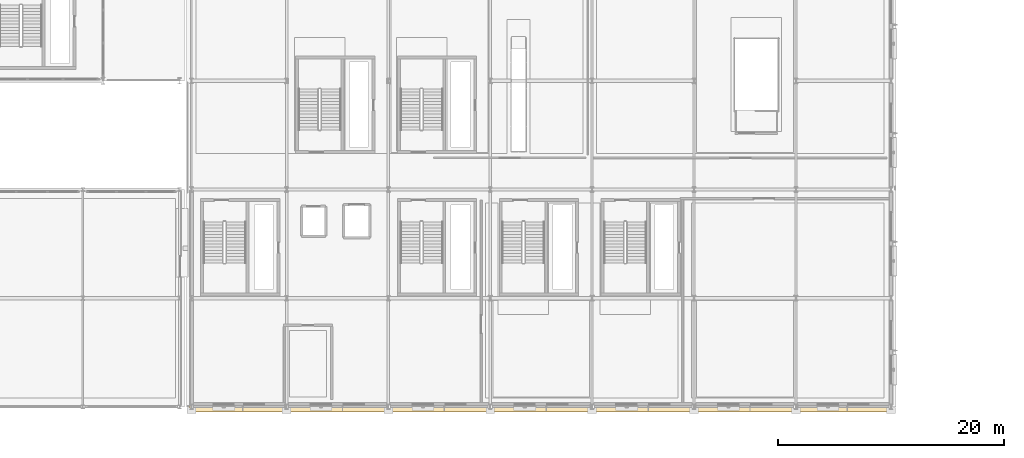
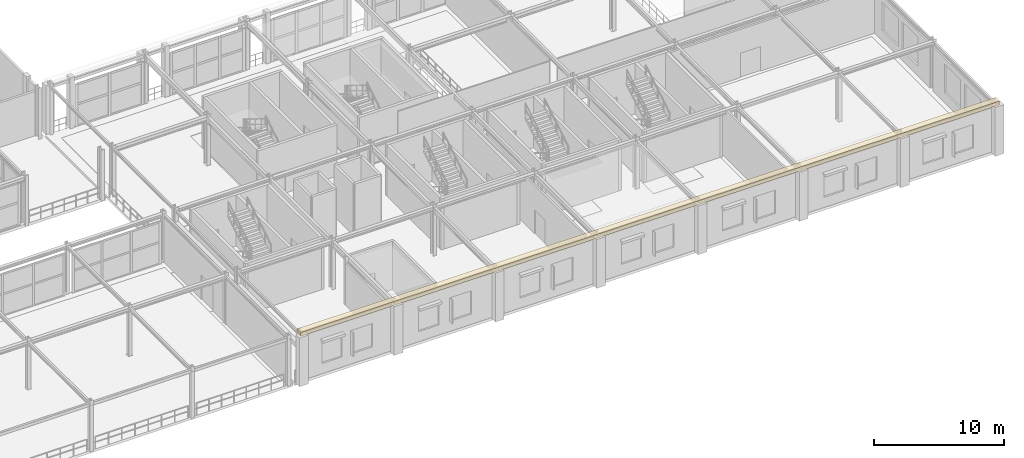
# One storey, part 111 of 125: 1 covering.
"""IFC4 building model written with IfcOpenShell, lengths in metres."""

from ifc_helpers import new_model, si_unit, direction, frame, origin, origin_2d, place, context, subcontext, project, spatial, rectangle, extrude, material, layer, layer_set, type_object, element, save


model = new_model("IFC4")

# Units and contexts
model_context = context("Model", 3, precision=1e-05, world=origin(), true_north=direction((0.0, 1.0)))
body_context = subcontext(model_context, "Body", "Model", "MODEL_VIEW")
ifc_project = project(units=[si_unit("LENGTHUNIT", "METRE"), si_unit("AREAUNIT", "SQUARE_METRE"), si_unit("VOLUMEUNIT", "CUBIC_METRE"), si_unit("PLANEANGLEUNIT", "RADIAN"), si_unit("MASSUNIT", "GRAM", prefix="KILO")], contexts=[model_context])

# Site, building, storey
site_placement = place(None, origin())
site = spatial("IfcSite", under=ifc_project, at=site_placement, CompositionType="ELEMENT")
building_placement = place(site_placement, origin())
building = spatial("IfcBuilding", under=site, at=building_placement, Name="Myrtia Square Station", CompositionType="ELEMENT")
storey_placement = place(building_placement, frame((0.0, 0.0, 6.0)))
storey = spatial("IfcBuildingStorey", under=building, at=storey_placement, Name="L01", CompositionType="ELEMENT", Elevation=6.0)

# Covering
ifc_material = material(Name="Pentelic marble ashlar", Category="masonry")
ifc_layer = layer(ifc_material, 0.47998046875, Name="Pentelic marble ashlar")
ifc_layer_set = layer_set([ifc_layer], Name="Pentelic marble ashlar")
covering_type = type_object("IfcCoveringType", Name="COV-CORNICE-ASHLAR", PredefinedType="MOLDING", material=ifc_layer_set)
covering_placement = place(storey_placement, frame((148.449951171875, -0.169921875, 4.56005859375), z_axis=(0.0, 0.0, 1.0), x_axis=(1.0, 0.0, 0.0)))
element("IfcCovering", 1, at=covering_placement, inside=storey, type_object=covering_type, Name="Classical entablature cornice moulding 004", PredefinedType="MOLDING", context=body_context, shape_type="SweptSolid", body=[
    extrude(rectangle(XDim=62.10009765625, YDim=0.580078125, at=origin_2d()), origin(), (0.0, 0.0, 1.0), 0.360107421875),
])

save(model, "model.ifc")
